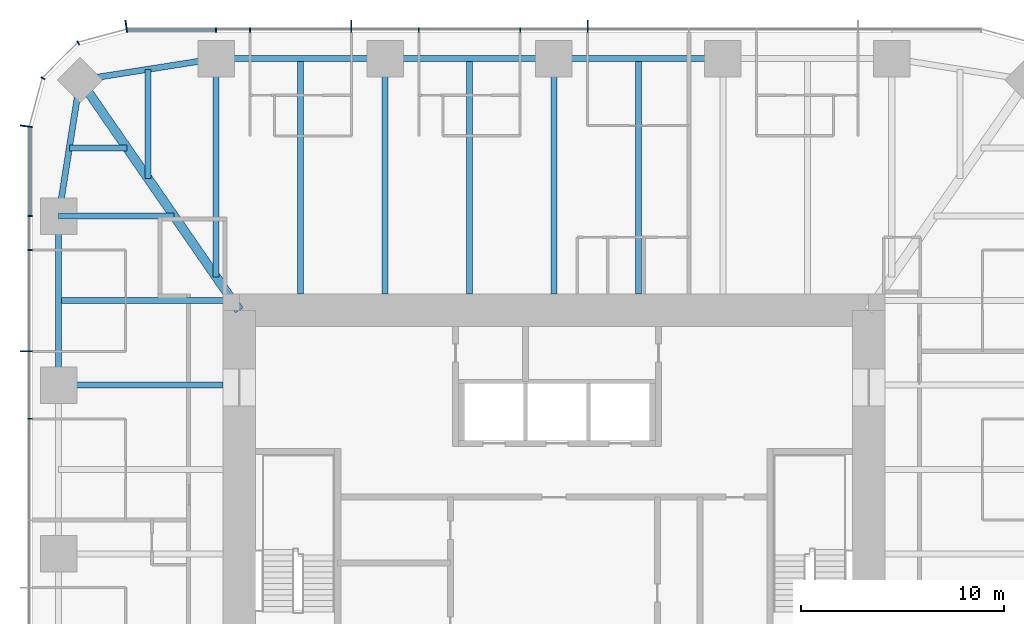
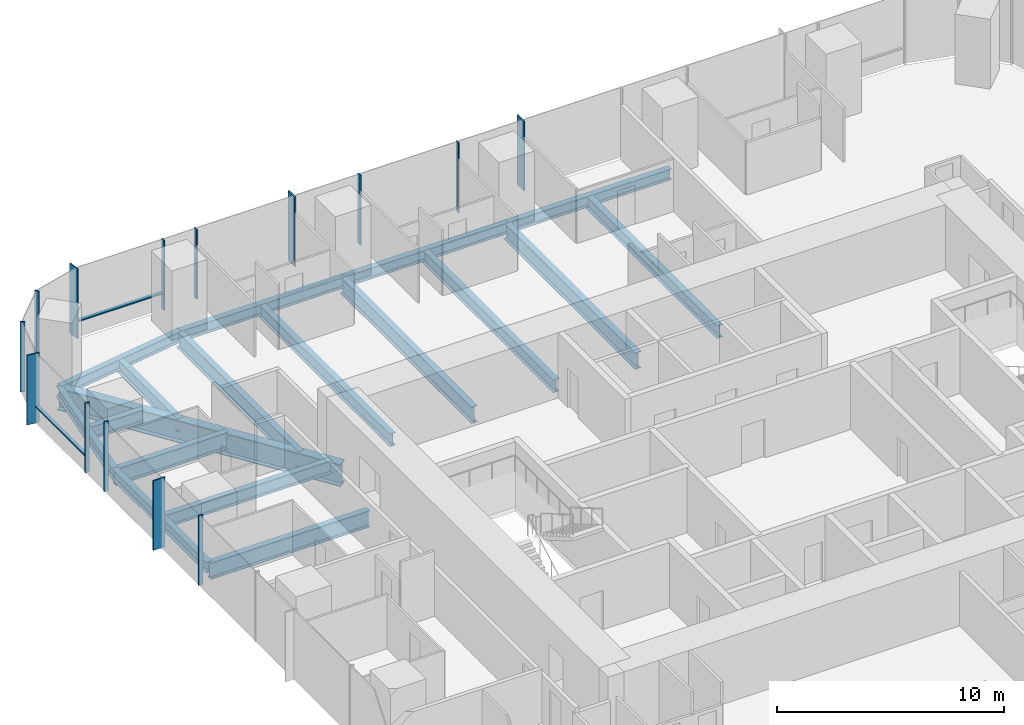
# One storey, part 5 of 13: 18 beams, 16 members, 3 elements without a shape of their own.
"""IFC4 building model written with IfcOpenShell, lengths in metres."""

from ifc_helpers import new_model, si_unit, direction, frame, origin, origin_2d, place, context, subcontext, project, spatial, rectangle, i_section, extrude, material, material_profile, profile_set, type_object, element, aggregate, save


model = new_model("IFC4")

# Units and contexts
model_context = context("Model", 3, precision=1e-05, world=origin(), true_north=direction((0.0, 1.0)))
body_context = subcontext(model_context, "Body", "Model", "MODEL_VIEW")
ifc_project = project(units=[si_unit("LENGTHUNIT", "METRE"), si_unit("AREAUNIT", "SQUARE_METRE"), si_unit("VOLUMEUNIT", "CUBIC_METRE"), si_unit("PLANEANGLEUNIT", "RADIAN"), si_unit("MASSUNIT", "GRAM", prefix="KILO")], contexts=[model_context])

# Site, building, storey
site_placement = place(None, origin())
site = spatial("IfcSite", under=ifc_project, at=site_placement, CompositionType="ELEMENT")
building_placement = place(site_placement, origin())
building = spatial("IfcBuilding", under=site, at=building_placement, Name="Khuree Lantern Residences", CompositionType="ELEMENT")
storey_placement = place(building_placement, frame((0.0, 0.0, 248.25)))
storey = spatial("IfcBuildingStorey", under=building, at=storey_placement, Name="L62", CompositionType="ELEMENT", Elevation=248.25)

# Beams
ifc_material_1 = material(Name="Steel S355", Category="steel")
ifc_material_profile_1 = material_profile(ifc_material_1, i_section(OverallWidth=0.300048828125, OverallDepth=0.68994140625, WebThickness=0.014404296875, FlangeThickness=0.027099609375, FilletRadius=0.027099609375, at=origin_2d()), Name="HE 700 A")
ifc_profile_set_1 = profile_set([ifc_material_profile_1], Name="Steel S355")
beam_type_1 = type_object("IfcBeamType", Name="B-34 SECONDARY BEAM HE 700 A", PredefinedType="BEAM", material=ifc_profile_set_1)
for number, where, z_axis, x_axis, name in (
    (1, (-12.47998046875, 24.39990234375, -0.594970703125), (0.0, -1.0, 0.0), (1.0, 0.0, 0.0), "Secondary beam N1"),
    (2, (-4.159912109375, 24.39990234375, -0.594970703125), (0.0, -1.0, 0.0), (1.0, 0.0, 0.0), "Secondary beam N2"),
    (3, (4.159912109375, 24.39990234375, -0.594970703125), (0.0, -1.0, 0.0), (1.0, 0.0, 0.0), "Secondary beam N3"),
):
    element("IfcBeam", number, at=place(storey_placement, frame(where, z_axis=z_axis, x_axis=x_axis)), inside=storey, type_object=beam_type_1, Name=name, PredefinedType="BEAM", context=body_context, shape_type="SweptSolid", body=[
        extrude(i_section(OverallWidth=0.300048828125, OverallDepth=0.68994140625, WebThickness=0.014404296875, FlangeThickness=0.027099609375, FilletRadius=0.027099609375, at=origin_2d()), origin(), (0.0, 0.0, 1.0), 11.599853515625),
    ])
beam_1_placement = place(storey_placement, frame((-24.39990234375, 12.47998046875, -0.594970703125), z_axis=(1.0, 0.0, 0.0), x_axis=(0.0, 1.0, 0.0)))
element("IfcBeam", 4, at=beam_1_placement, inside=storey, type_object=beam_type_1, Name="Secondary beam W5", PredefinedType="BEAM", context=body_context, shape_type="SweptSolid", body=[
    extrude(i_section(OverallWidth=0.300048828125, OverallDepth=0.68994140625, WebThickness=0.014404296875, FlangeThickness=0.027099609375, FilletRadius=0.027099609375, at=origin_2d()), origin(), (0.0, 0.0, 1.0), 8.56787109375),
])
beam_2_placement = place(storey_placement, frame((-23.872802734375, 19.992919921875, -0.594970703125), z_axis=(1.0, 0.0, 0.0), x_axis=(0.0, 1.0, 0.0)))
element("IfcBeam", 5, at=beam_2_placement, inside=storey, type_object=beam_type_1, Name="Secondary beam W6", PredefinedType="BEAM", context=body_context, shape_type="SweptSolid", body=[
    extrude(i_section(OverallWidth=0.300048828125, OverallDepth=0.68994140625, WebThickness=0.014404296875, FlangeThickness=0.027099609375, FilletRadius=0.027099609375, at=origin_2d()), origin(), (0.0, 0.0, 1.0), 2.845703125),
])
beam_3_placement = place(storey_placement, frame((-19.992919921875, 23.872802734375, -0.594970703125), z_axis=(0.0, -1.0, 0.0), x_axis=(1.0, 0.0, 0.0)))
element("IfcBeam", 6, at=beam_3_placement, inside=storey, type_object=beam_type_1, Name="Secondary beam N6", PredefinedType="BEAM", context=body_context, shape_type="SweptSolid", body=[
    extrude(i_section(OverallWidth=0.300048828125, OverallDepth=0.68994140625, WebThickness=0.014404296875, FlangeThickness=0.027099609375, FilletRadius=0.027099609375, at=origin_2d()), origin(), (0.0, 0.0, 1.0), 5.375732421875),
])
ifc_material_profile_2 = material_profile(ifc_material_1, i_section(OverallWidth=0.300048828125, OverallDepth=0.590087890625, WebThickness=0.012939453125, FlangeThickness=0.02490234375, FilletRadius=0.027099609375, at=origin_2d()), Name="HE 600 A")
ifc_profile_set_2 = profile_set([ifc_material_profile_2], Name="Steel S355")
beam_type_2 = type_object("IfcBeamType", Name="E-34 SPANDREL BEAM HE 600 A", PredefinedType="SPANDREL", material=ifc_profile_set_2)
beam_4_placement = place(storey_placement, frame((-16.639892578125, 24.39990234375, -0.544921875), z_axis=(1.0, 0.0, 0.0), x_axis=(0.0, 1.0, 0.0)))
element("IfcBeam", 7, at=beam_4_placement, inside=storey, type_object=beam_type_2, Name="Spandrel beam N1", PredefinedType="SPANDREL", context=body_context, shape_type="SweptSolid", body=[
    extrude(i_section(OverallWidth=0.300048828125, OverallDepth=0.590087890625, WebThickness=0.012939453125, FlangeThickness=0.02490234375, FilletRadius=0.027099609375, at=origin_2d()), origin(), (0.0, 0.0, 1.0), 8.31982421875),
])
for number, where, z_axis, x_axis, name in (
    (8, (-8.320068359375, 24.39990234375, -0.544921875), (1.0, 0.0, 0.0), (0.0, 1.0, 0.0), "Spandrel beam N2"),
    (9, (0.0, 24.39990234375, -0.544921875), (1.0, 0.0, 0.0), (0.0, 1.0, 0.0), "Spandrel beam N3"),
):
    element("IfcBeam", number, at=place(storey_placement, frame(where, z_axis=z_axis, x_axis=x_axis)), inside=storey, type_object=beam_type_2, Name=name, PredefinedType="SPANDREL", context=body_context, shape_type="SweptSolid", body=[
        extrude(i_section(OverallWidth=0.300048828125, OverallDepth=0.590087890625, WebThickness=0.012939453125, FlangeThickness=0.02490234375, FilletRadius=0.027099609375, at=origin_2d()), origin(), (0.0, 0.0, 1.0), 8.320068359375),
    ])
beam_5_placement = place(storey_placement, frame((-24.39990234375, 8.320068359375, -0.544921875), z_axis=(0.0, 1.0, 0.0), x_axis=(-1.0, 0.0, 0.0)))
element("IfcBeam", 10, at=beam_5_placement, inside=storey, type_object=beam_type_2, Name="Spandrel beam W5", PredefinedType="SPANDREL", context=body_context, shape_type="SweptSolid", body=[
    extrude(i_section(OverallWidth=0.300048828125, OverallDepth=0.590087890625, WebThickness=0.012939453125, FlangeThickness=0.02490234375, FilletRadius=0.027099609375, at=origin_2d()), origin(), (0.0, 0.0, 1.0), 8.31982421875),
])
for number, where, z_axis, x_axis, name in (
    (11, (-24.39990234375, 16.639892578125, -0.544921875), (0.155299507442, 0.98786743189, 0.0), (-0.98786743189, 0.155299507442, 0.0), "Spandrel beam W6"),
    (12, (-23.345703125, 23.345703125, -0.544921875), (0.98786743189, 0.155299507442, 0.0), (-0.155299507442, 0.98786743189, 0.0), "Spandrel beam N6"),
):
    element("IfcBeam", number, at=place(storey_placement, frame(where, z_axis=z_axis, x_axis=x_axis)), inside=storey, type_object=beam_type_2, Name=name, PredefinedType="SPANDREL", context=body_context, shape_type="SweptSolid", body=[
        extrude(i_section(OverallWidth=0.300048828125, OverallDepth=0.590087890625, WebThickness=0.012939453125, FlangeThickness=0.02490234375, FilletRadius=0.027099609375, at=origin_2d()), origin(), (0.0, 0.0, 1.0), 6.7880859375),
    ])

# Curtain wall, members
ifc_material_2 = material(Name="Bronze anodised aluminium", Category="aluminium")
curtain_wall_type_1 = type_object("IfcCurtainWallType", Name="CW-T1 TOWER FACE CURTAIN WALL", PredefinedType="USERDEFINED", material=ifc_material_2)
curtain_wall_1_placement = place(storey_placement, origin())
curtain_wall_1 = element("IfcCurtainWall", 13, at=curtain_wall_1_placement, inside=storey, type_object=curtain_wall_type_1, Name="L62 NORTH FACE CURTAIN WALL", ObjectType="Stick-built curtain wall", PredefinedType="USERDEFINED")
ifc_material_profile_3 = material_profile(ifc_material_2, rectangle(XDim=0.06494140625, YDim=0.60009765625, at=origin_2d()), Name="F1 65X600")
ifc_profile_set_3 = profile_set([ifc_material_profile_3], Name="Bronze anodised aluminium")
member_type_1 = type_object("IfcMemberType", Name="F1 BRONZE FIN MULLION TOWER 65X600", PredefinedType="MULLION", material=ifc_profile_set_3)
member_1_placement = place(storey_placement, frame((1.6640625, 26.0, 0.0), z_axis=(0.0, 0.0, 1.0), x_axis=(-1.0, 0.0, 0.0)))
member_1 = element("IfcMember", 14, at=member_1_placement, type_object=member_type_1, Name="L62 NORTH FACE FIN MULLION 23", PredefinedType="MULLION", context=body_context, shape_type="SweptSolid", body=[
    extrude(rectangle(XDim=0.06494140625, YDim=0.60009765625, at=origin_2d()), origin(), (0.0, 0.0, 1.0), 3.75),
])
member_2_placement = place(storey_placement, frame((-9.98388671875, 26.0, 0.0), z_axis=(0.0, 0.0, 1.0), x_axis=(-1.0, 0.0, 0.0)))
member_2 = element("IfcMember", 15, at=member_2_placement, type_object=member_type_1, Name="L62 NORTH FACE FIN MULLION 26", PredefinedType="MULLION", context=body_context, shape_type="SweptSolid", body=[
    extrude(rectangle(XDim=0.06494140625, YDim=0.60009765625, at=origin_2d()), origin(), (0.0, 0.0, 1.0), 3.75),
])

# Curtain wall, member
curtain_wall_type_2 = type_object("IfcCurtainWallType", Name="CW-T2 TOWER CORNER CURTAIN WALL", PredefinedType="USERDEFINED", material=ifc_material_2)
curtain_wall_2_placement = place(storey_placement, origin())
curtain_wall_2 = element("IfcCurtainWall", 16, at=curtain_wall_2_placement, inside=storey, type_object=curtain_wall_type_2, Name="L62 NORTH-WEST CORNER CURTAIN WALL", ObjectType="Faceted corner curtain wall", PredefinedType="USERDEFINED")
member_3_placement = place(storey_placement, frame((-21.06982421875, 26.0, 0.0), z_axis=(0.0, 0.0, 1.0), x_axis=(-0.991444862943, -0.130526180298, 0.0)))
member_3 = element("IfcMember", 17, at=member_3_placement, type_object=member_type_1, Name="L62 NORTH-WEST CORNER FIN MULLION 29", PredefinedType="MULLION", context=body_context, shape_type="SweptSolid", body=[
    extrude(rectangle(XDim=0.06494140625, YDim=0.60009765625, at=origin_2d()), origin(), (0.0, 0.0, 1.0), 3.75),
])

# Curtain wall, members
curtain_wall_3_placement = place(storey_placement, origin())
curtain_wall_3 = element("IfcCurtainWall", 18, at=curtain_wall_3_placement, inside=storey, type_object=curtain_wall_type_1, Name="L62 WEST FACE CURTAIN WALL", ObjectType="Stick-built curtain wall", PredefinedType="USERDEFINED")
member_4_placement = place(storey_placement, frame((-26.0, 21.06982421875, 0.0), z_axis=(0.0, 0.0, 1.0), x_axis=(-0.130526180298, -0.991444862943, 0.0)))
member_4 = element("IfcMember", 19, at=member_4_placement, type_object=member_type_1, Name="L62 WEST FACE FIN MULLION 32", PredefinedType="MULLION", context=body_context, shape_type="SweptSolid", body=[
    extrude(rectangle(XDim=0.06494140625, YDim=0.60009765625, at=origin_2d()), origin(), (0.0, 0.0, 1.0), 3.75),
])
member_5_placement = place(storey_placement, frame((-26.0, 9.98388671875, 0.0), z_axis=(0.0, 0.0, 1.0), x_axis=(0.0, -1.0, 0.0)))
member_5 = element("IfcMember", 20, at=member_5_placement, type_object=member_type_1, Name="L62 WEST FACE FIN MULLION 35", PredefinedType="MULLION", context=body_context, shape_type="SweptSolid", body=[
    extrude(rectangle(XDim=0.06494140625, YDim=0.60009765625, at=origin_2d()), origin(), (0.0, 0.0, 1.0), 3.75),
])

# Beams
ifc_material_profile_4 = material_profile(ifc_material_1, i_section(OverallWidth=0.300048828125, OverallDepth=0.89990234375, WebThickness=0.0185546875, FlangeThickness=0.034912109375, FilletRadius=0.030029296875, at=origin_2d()), Name="HE 900 B")
ifc_profile_set_4 = profile_set([ifc_material_profile_4], Name="Steel S355")
beam_type_3 = type_object("IfcBeamType", Name="G-34 GIRDER HE 900 B", PredefinedType="BEAM", material=ifc_profile_set_4)
beam_6_placement = place(storey_placement, frame((-16.639892578125, 24.39990234375, -0.699951171875), z_axis=(0.0, -1.0, 0.0), x_axis=(1.0, 0.0, 0.0)))
element("IfcBeam", 21, at=beam_6_placement, inside=storey, type_object=beam_type_3, Name="Girder N1", PredefinedType="BEAM", context=body_context, shape_type="SweptSolid", body=[
    extrude(i_section(OverallWidth=0.300048828125, OverallDepth=0.89990234375, WebThickness=0.0185546875, FlangeThickness=0.034912109375, FilletRadius=0.030029296875, at=origin_2d()), origin(), (0.0, 0.0, 1.0), 10.751220703125),
])
for number, where, z_axis, x_axis, name in (
    (22, (-8.320068359375, 24.39990234375, -0.699951171875), (0.0, -1.0, 0.0), (1.0, 0.0, 0.0), "Girder N2"),
    (23, (0.0, 24.39990234375, -0.699951171875), (0.0, -1.0, 0.0), (1.0, 0.0, 0.0), "Girder N3"),
):
    element("IfcBeam", number, at=place(storey_placement, frame(where, z_axis=z_axis, x_axis=x_axis)), inside=storey, type_object=beam_type_3, Name=name, PredefinedType="BEAM", context=body_context, shape_type="SweptSolid", body=[
        extrude(i_section(OverallWidth=0.300048828125, OverallDepth=0.89990234375, WebThickness=0.0185546875, FlangeThickness=0.034912109375, FilletRadius=0.030029296875, at=origin_2d()), origin(), (0.0, 0.0, 1.0), 11.599853515625),
    ])
beam_7_placement = place(storey_placement, frame((-24.39990234375, 8.320068359375, -0.699951171875), z_axis=(1.0, 0.0, 0.0), x_axis=(0.0, 1.0, 0.0)))
element("IfcBeam", 24, at=beam_7_placement, inside=storey, type_object=beam_type_3, Name="Girder W4", PredefinedType="BEAM", context=body_context, shape_type="SweptSolid", body=[
    extrude(i_section(OverallWidth=0.300048828125, OverallDepth=0.89990234375, WebThickness=0.0185546875, FlangeThickness=0.034912109375, FilletRadius=0.030029296875, at=origin_2d()), origin(), (0.0, 0.0, 1.0), 8.099853515625),
])
beam_8_placement = place(storey_placement, frame((-24.39990234375, 16.639892578125, -0.699951171875), z_axis=(1.0, 0.0, 0.0), x_axis=(0.0, 1.0, 0.0)))
element("IfcBeam", 25, at=beam_8_placement, inside=storey, type_object=beam_type_3, Name="Girder W5", PredefinedType="BEAM", context=body_context, shape_type="SweptSolid", body=[
    extrude(i_section(OverallWidth=0.300048828125, OverallDepth=0.89990234375, WebThickness=0.0185546875, FlangeThickness=0.034912109375, FilletRadius=0.030029296875, at=origin_2d()), origin(), (0.0, 0.0, 1.0), 5.69140625),
])
ifc_material_profile_5 = material_profile(ifc_material_1, i_section(OverallWidth=0.449951171875, OverallDepth=1.199951171875, WebThickness=0.02490234375, FlangeThickness=0.044921875, at=origin_2d()), Name="WELDED I 1200X450X25X45")
ifc_profile_set_5 = profile_set([ifc_material_profile_5], Name="Steel S355")
beam_type_4 = type_object("IfcBeamType", Name="GD-34 CORNER GIRDER WELDED I 1200X450X25X45", PredefinedType="BEAM", material=ifc_profile_set_5)
beam_9_placement = place(storey_placement, frame((-23.345703125, 23.345703125, -0.85009765625), z_axis=(0.56876813501, -0.822497907959, 0.0), x_axis=(0.822497907959, 0.56876813501, 0.0)))
element("IfcBeam", 26, at=beam_9_placement, inside=storey, type_object=beam_type_4, Name="Corner girder NW", PredefinedType="BEAM", context=body_context, shape_type="SweptSolid", body=[
    extrude(i_section(OverallWidth=0.449951171875, OverallDepth=1.199951171875, WebThickness=0.02490234375, FlangeThickness=0.044921875, at=origin_2d()), origin(), (0.0, 0.0, 1.0), 13.794189453125),
])

# Member
ifc_material_profile_6 = material_profile(ifc_material_2, rectangle(XDim=0.06494140625, YDim=0.219970703125, at=origin_2d()), Name="M1 65X220")
ifc_profile_set_6 = profile_set([ifc_material_profile_6], Name="Bronze anodised aluminium")
member_type_2 = type_object("IfcMemberType", Name="M1 BRONZE MULLION TOWER 65X220", PredefinedType="MULLION", material=ifc_profile_set_6)
member_6_placement = place(storey_placement, frame((-1.6640625, 25.81005859375, 0.0), z_axis=(0.0, 0.0, 1.0), x_axis=(-1.0, 0.0, 0.0)))
member_6 = element("IfcMember", 27, at=member_6_placement, type_object=member_type_2, Name="L62 NORTH FACE MULLION 24", PredefinedType="MULLION", context=body_context, shape_type="SweptSolid", body=[
    extrude(rectangle(XDim=0.06494140625, YDim=0.219970703125, at=origin_2d()), origin(), (0.0, 0.0, 1.0), 3.75),
])

member_7_placement = place(storey_placement, frame((-6.656005859375, 25.81005859375, 0.0), z_axis=(0.0, 0.0, 1.0), x_axis=(-1.0, 0.0, 0.0)))
member_7 = element("IfcMember", 28, at=member_7_placement, type_object=member_type_2, Name="L62 NORTH FACE MULLION 25", PredefinedType="MULLION", context=body_context, shape_type="SweptSolid", body=[
    extrude(rectangle(XDim=0.06494140625, YDim=0.219970703125, at=origin_2d()), origin(), (0.0, 0.0, 1.0), 3.75),
])

member_8_placement = place(storey_placement, frame((-14.97607421875, 25.81005859375, 0.0), z_axis=(0.0, 0.0, 1.0), x_axis=(-1.0, 0.0, 0.0)))
member_8 = element("IfcMember", 29, at=member_8_placement, type_object=member_type_2, Name="L62 NORTH FACE MULLION 27", PredefinedType="MULLION", context=body_context, shape_type="SweptSolid", body=[
    extrude(rectangle(XDim=0.06494140625, YDim=0.219970703125, at=origin_2d()), origin(), (0.0, 0.0, 1.0), 3.75),
])

member_9_placement = place(storey_placement, frame((-16.639892578125, 25.81005859375, 0.0), z_axis=(0.0, 0.0, 1.0), x_axis=(-1.0, 0.0, 0.0)))
member_9 = element("IfcMember", 30, at=member_9_placement, type_object=member_type_2, Name="L62 NORTH FACE MULLION 28", PredefinedType="MULLION", context=body_context, shape_type="SweptSolid", body=[
    extrude(rectangle(XDim=0.06494140625, YDim=0.219970703125, at=origin_2d()), origin(), (0.0, 0.0, 1.0), 3.75),
])

member_10_placement = place(storey_placement, frame((-23.429931640625, 25.17236328125, 0.0), z_axis=(0.0, 0.0, 1.0), x_axis=(-0.866025409797, -0.499999989586, 0.0)))
member_10 = element("IfcMember", 31, at=member_10_placement, type_object=member_type_2, Name="L62 NORTH-WEST CORNER MULLION 30", PredefinedType="MULLION", context=body_context, shape_type="SweptSolid", body=[
    extrude(rectangle(XDim=0.06494140625, YDim=0.219970703125, at=origin_2d()), origin(), (0.0, 0.0, 1.0), 3.75),
])

member_11_placement = place(storey_placement, frame((-25.17236328125, 23.429931640625, 0.0), z_axis=(0.0, 0.0, 1.0), x_axis=(-0.499999989586, -0.866025409797, 0.0)))
member_11 = element("IfcMember", 32, at=member_11_placement, type_object=member_type_2, Name="L62 NORTH-WEST CORNER MULLION 31", PredefinedType="MULLION", context=body_context, shape_type="SweptSolid", body=[
    extrude(rectangle(XDim=0.06494140625, YDim=0.219970703125, at=origin_2d()), origin(), (0.0, 0.0, 1.0), 3.75),
])

aggregate(curtain_wall_2, [member_3, member_10, member_11])

member_12_placement = place(storey_placement, frame((-25.81005859375, 16.639892578125, 0.0), z_axis=(0.0, 0.0, 1.0), x_axis=(0.0, -1.0, 0.0)))
member_12 = element("IfcMember", 33, at=member_12_placement, type_object=member_type_2, Name="L62 WEST FACE MULLION 33", PredefinedType="MULLION", context=body_context, shape_type="SweptSolid", body=[
    extrude(rectangle(XDim=0.06494140625, YDim=0.219970703125, at=origin_2d()), origin(), (0.0, 0.0, 1.0), 3.75),
])

member_13_placement = place(storey_placement, frame((-25.81005859375, 14.97607421875, 0.0), z_axis=(0.0, 0.0, 1.0), x_axis=(0.0, -1.0, 0.0)))
member_13 = element("IfcMember", 34, at=member_13_placement, type_object=member_type_2, Name="L62 WEST FACE MULLION 34", PredefinedType="MULLION", context=body_context, shape_type="SweptSolid", body=[
    extrude(rectangle(XDim=0.06494140625, YDim=0.219970703125, at=origin_2d()), origin(), (0.0, 0.0, 1.0), 3.75),
])

member_14_placement = place(storey_placement, frame((-25.81005859375, 6.656005859375, 0.0), z_axis=(0.0, 0.0, 1.0), x_axis=(0.0, -1.0, 0.0)))
member_14 = element("IfcMember", 35, at=member_14_placement, type_object=member_type_2, Name="L62 WEST FACE MULLION 36", PredefinedType="MULLION", context=body_context, shape_type="SweptSolid", body=[
    extrude(rectangle(XDim=0.06494140625, YDim=0.219970703125, at=origin_2d()), origin(), (0.0, 0.0, 1.0), 3.75),
])

ifc_material_profile_7 = material_profile(ifc_material_2, rectangle(XDim=0.179931640625, YDim=0.06494140625, at=origin_2d()), Name="T1 180X65")
ifc_profile_set_7 = profile_set([ifc_material_profile_7], Name="Bronze anodised aluminium")
member_type_3 = type_object("IfcMemberType", Name="TRANSOM T1 TOWER 180X65", PredefinedType="USERDEFINED", material=ifc_profile_set_7)
member_15_placement = place(storey_placement, frame((-16.672607421875, 25.820068359375, 0.89990234375), z_axis=(-1.0, 0.0, 0.0), x_axis=(0.0, -1.0, 0.0)))
member_15 = element("IfcMember", 36, at=member_15_placement, type_object=member_type_3, Name="L62 NORTH FACE TRANSOM 28.1", ObjectType="Transom", PredefinedType="USERDEFINED", context=body_context, shape_type="SweptSolid", body=[
    extrude(rectangle(XDim=0.179931640625, YDim=0.06494140625, at=origin_2d()), origin(), (0.0, 0.0, 1.0), 4.328857421875),
])

aggregate(curtain_wall_1, [member_1, member_6, member_7, member_2, member_8, member_9, member_15])

member_16_placement = place(storey_placement, frame((-25.820068359375, 21.00146484375, 0.89990234375), z_axis=(0.0, -1.0, 0.0), x_axis=(1.0, 0.0, 0.0)))
member_16 = element("IfcMember", 37, at=member_16_placement, type_object=member_type_3, Name="L62 WEST FACE TRANSOM 32.1", ObjectType="Transom", PredefinedType="USERDEFINED", context=body_context, shape_type="SweptSolid", body=[
    extrude(rectangle(XDim=0.179931640625, YDim=0.06494140625, at=origin_2d()), origin(), (0.0, 0.0, 1.0), 4.328857421875),
])

aggregate(curtain_wall_3, [member_4, member_12, member_13, member_5, member_14, member_16])

save(model, "model.ifc")
